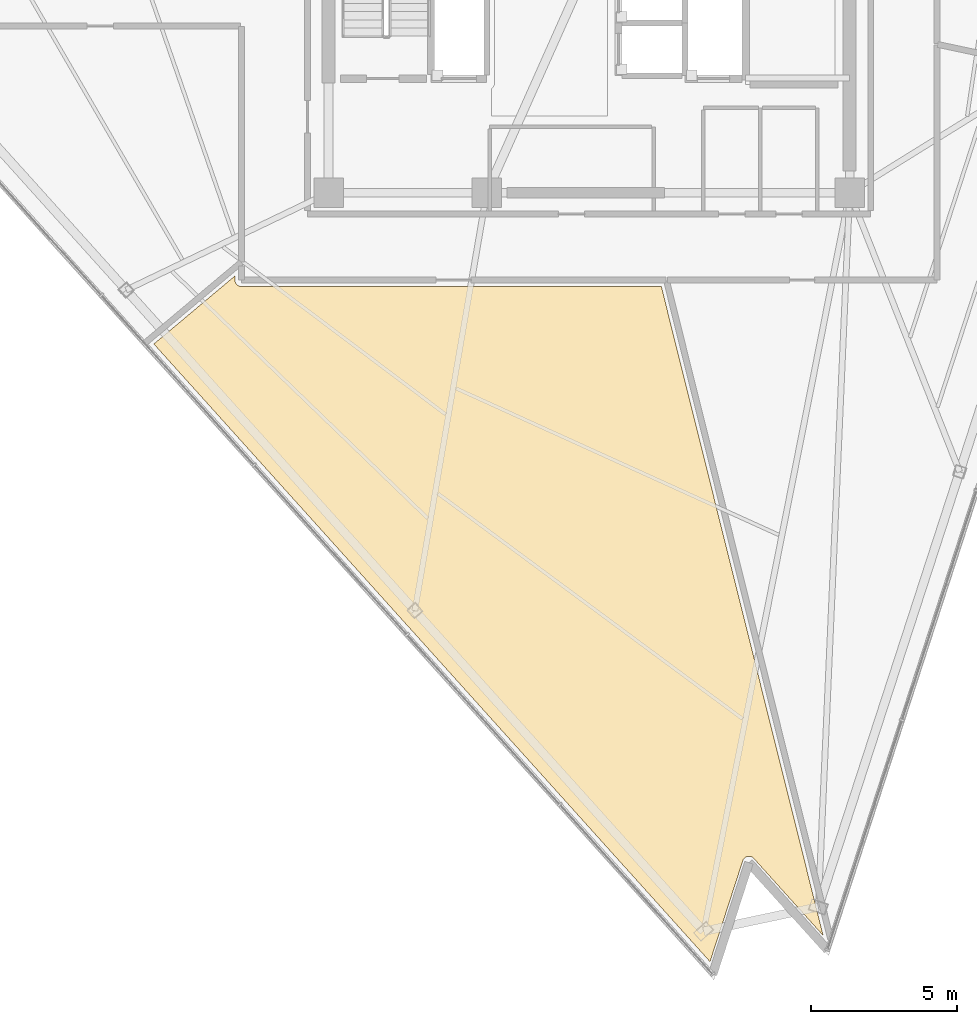
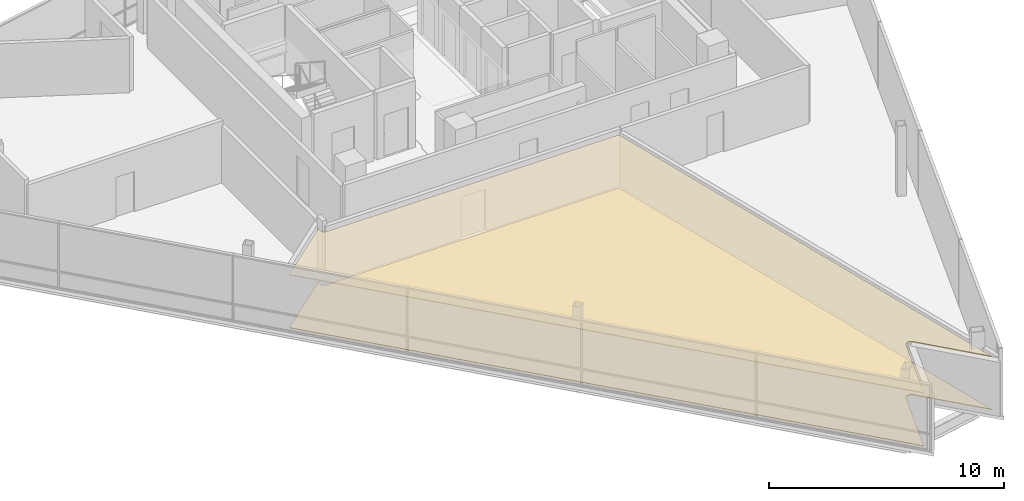
# One storey, part 13 of 15: 2 coverings.
"""IFC4 building model written with IfcOpenShell, lengths in metres."""

from ifc_helpers import new_model, si_unit, direction, frame, origin, place, context, subcontext, project, spatial, polyline, outline, extrude, material, layer, layer_set, type_object, element, save


model = new_model("IFC4")

# Units and contexts
model_context = context("Model", 3, precision=1e-05, world=origin(), true_north=direction((0.0, 1.0)))
body_context = subcontext(model_context, "Body", "Model", "MODEL_VIEW")
ifc_project = project(units=[si_unit("LENGTHUNIT", "METRE"), si_unit("AREAUNIT", "SQUARE_METRE"), si_unit("VOLUMEUNIT", "CUBIC_METRE"), si_unit("PLANEANGLEUNIT", "RADIAN"), si_unit("MASSUNIT", "GRAM", prefix="KILO")], contexts=[model_context])

# Site, building, storey
site_placement = place(None, origin())
site = spatial("IfcSite", under=ifc_project, at=site_placement, CompositionType="ELEMENT")
building_placement = place(site_placement, origin())
building = spatial("IfcBuilding", under=site, at=building_placement, Name="Tharavind Bronze Gate", CompositionType="ELEMENT")
storey_placement = place(building_placement, frame((0.0, 0.0, 283.39990234375)))
storey = spatial("IfcBuildingStorey", under=building, at=storey_placement, Name="L73", CompositionType="ELEMENT", Elevation=283.39990234375)

# Coverings
ifc_material_1 = material(Name="Perforated Bronze Acoustic Panel", Category="bronze")
ifc_layer_1 = layer(ifc_material_1, 0.044921875)
ifc_layer_set_1 = layer_set([ifc_layer_1], Name="Perforated Bronze Acoustic Panel")
covering_type_1 = type_object("IfcCoveringType", Name="ACOUSTIC BRONZE BAFFLE CEILING", PredefinedType="CEILING", material=ifc_layer_set_1)
covering_1_placement = place(storey_placement, frame((0.0, 0.0, 2.75)))
element("IfcCovering", 1, at=covering_1_placement, inside=storey, type_object=covering_type_1, Name="L73-RM-04 suspended ceiling", PredefinedType="CEILING", context=body_context, shape_type="SweptSolid", body=[
    extrude(outline(polyline([(4.12939453125, -33.865478515625), (5.25, -30.416748046875), (5.25341796875, -30.406494140625), (5.253662109375, -30.406005859375), (5.262451171875, -30.3857421875), (5.273193359375, -30.36669921875), (5.285888671875, -30.348876953125), (5.30029296875, -30.332275390625), (5.316162109375, -30.317138671875), (5.33349609375, -30.3037109375), (5.352294921875, -30.2919921875), (5.371826171875, -30.282470703125), (5.392333984375, -30.274658203125), (5.41357421875, -30.26904296875), (5.435302734375, -30.265625), (5.45703125, -30.264404296875), (5.47900390625, -30.26513671875), (5.500732421875, -30.268310546875), (5.522216796875, -30.2734375), (5.542724609375, -30.28076171875), (5.5625, -30.2900390625), (5.581298828125, -30.30126953125), (5.59912109375, -30.314208984375), (5.615234375, -30.3291015625), (5.61572265625, -30.32958984375), (5.623291015625, -30.33740234375), (7.99365234375, -32.969970703125), (2.466064453125, -10.800048828125), (-11.87939453125, -10.800048828125), (-11.89013671875, -10.7998046875), (-11.890869140625, -10.7998046875), (-11.912353515625, -10.797607421875), (-11.933349609375, -10.79345703125), (-11.9541015625, -10.787109375), (-11.97412109375, -10.77880859375), (-11.9931640625, -10.768798828125), (-12.010986328125, -10.756591796875), (-12.027587890625, -10.742919921875), (-12.04296875, -10.727783203125), (-12.056640625, -10.7109375), (-12.068603515625, -10.693115234375), (-12.078857421875, -10.674072265625), (-12.087158203125, -10.654052734375), (-12.093505859375, -10.63330078125), (-12.09765625, -10.6123046875), (-12.099609375, -10.5908203125), (-12.099609375, -10.590087890625), (-12.10009765625, -10.579345703125), (-12.10009765625, -10.440185546875), (-14.8701171875, -12.7646484375), (4.12939453125, -33.865478515625)])), origin(), (0.0, 0.0, 1.0), 0.03515625),
])
ifc_material_2 = material(Name="Engineered Oak & Carpet Tile", Category="wood")
ifc_layer_2 = layer(ifc_material_2, 0.02490234375)
ifc_layer_set_2 = layer_set([ifc_layer_2], Name="Engineered Oak & Carpet Tile")
covering_type_2 = type_object("IfcCoveringType", Name="ENGINEERED TIMBER FLOORING", PredefinedType="FLOORING", material=ifc_layer_set_2)
covering_2_placement = place(storey_placement, origin())
element("IfcCovering", 2, at=covering_2_placement, inside=storey, type_object=covering_type_2, Name="L73-RM-04 floor finish", PredefinedType="FLOORING", context=body_context, shape_type="SweptSolid", body=[
    extrude(outline(polyline([(4.12939453125, -33.865478515625), (5.25, -30.416748046875), (5.25341796875, -30.406494140625), (5.253662109375, -30.406005859375), (5.262451171875, -30.3857421875), (5.273193359375, -30.36669921875), (5.285888671875, -30.348876953125), (5.30029296875, -30.332275390625), (5.316162109375, -30.317138671875), (5.33349609375, -30.3037109375), (5.352294921875, -30.2919921875), (5.371826171875, -30.282470703125), (5.392333984375, -30.274658203125), (5.41357421875, -30.26904296875), (5.435302734375, -30.265625), (5.45703125, -30.264404296875), (5.47900390625, -30.26513671875), (5.500732421875, -30.268310546875), (5.522216796875, -30.2734375), (5.542724609375, -30.28076171875), (5.5625, -30.2900390625), (5.581298828125, -30.30126953125), (5.59912109375, -30.314208984375), (5.615234375, -30.3291015625), (5.61572265625, -30.32958984375), (5.623291015625, -30.33740234375), (7.99365234375, -32.969970703125), (2.466064453125, -10.800048828125), (-11.87939453125, -10.800048828125), (-11.89013671875, -10.7998046875), (-11.890869140625, -10.7998046875), (-11.912353515625, -10.797607421875), (-11.933349609375, -10.79345703125), (-11.9541015625, -10.787109375), (-11.97412109375, -10.77880859375), (-11.9931640625, -10.768798828125), (-12.010986328125, -10.756591796875), (-12.027587890625, -10.742919921875), (-12.04296875, -10.727783203125), (-12.056640625, -10.7109375), (-12.068603515625, -10.693115234375), (-12.078857421875, -10.674072265625), (-12.087158203125, -10.654052734375), (-12.093505859375, -10.63330078125), (-12.09765625, -10.6123046875), (-12.099609375, -10.5908203125), (-12.099609375, -10.590087890625), (-12.10009765625, -10.579345703125), (-12.10009765625, -10.440185546875), (-14.8701171875, -12.7646484375), (4.12939453125, -33.865478515625)])), origin(), (0.0, 0.0, 1.0), 0.025146484375),
])

save(model, "model.ifc")
